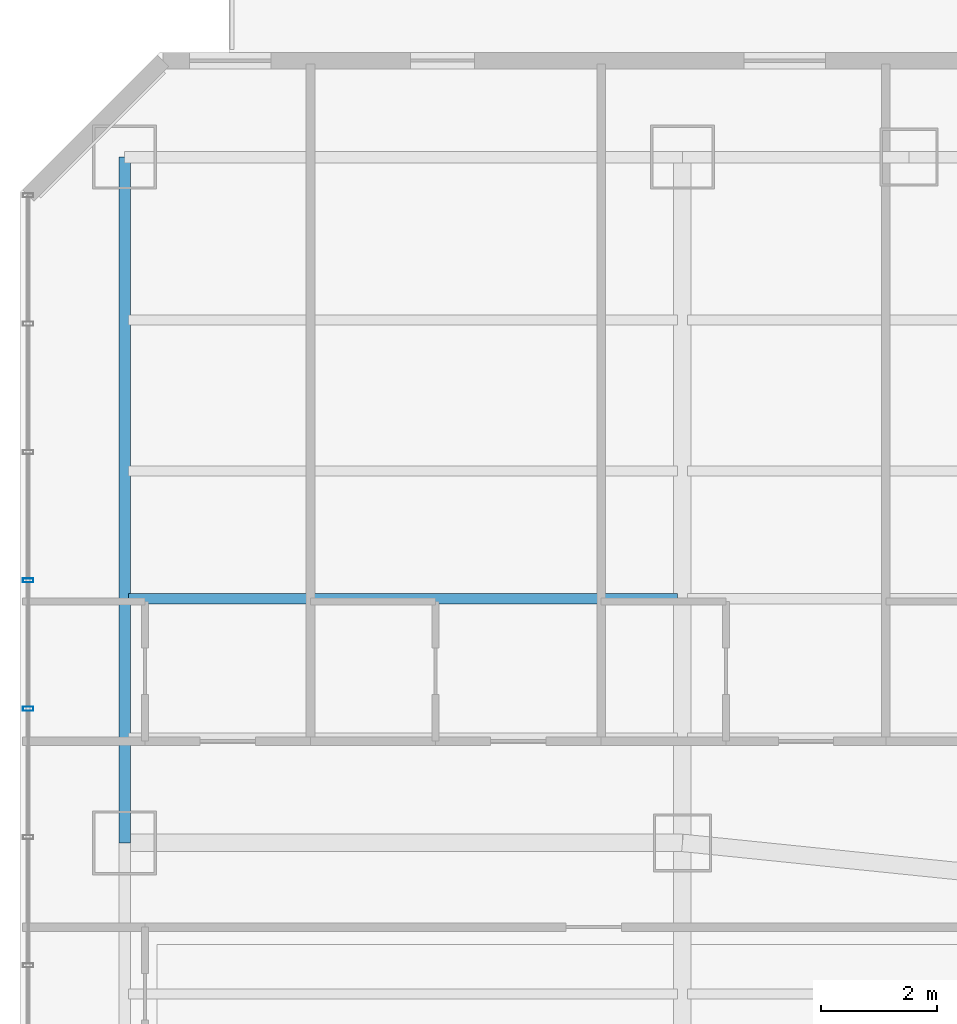
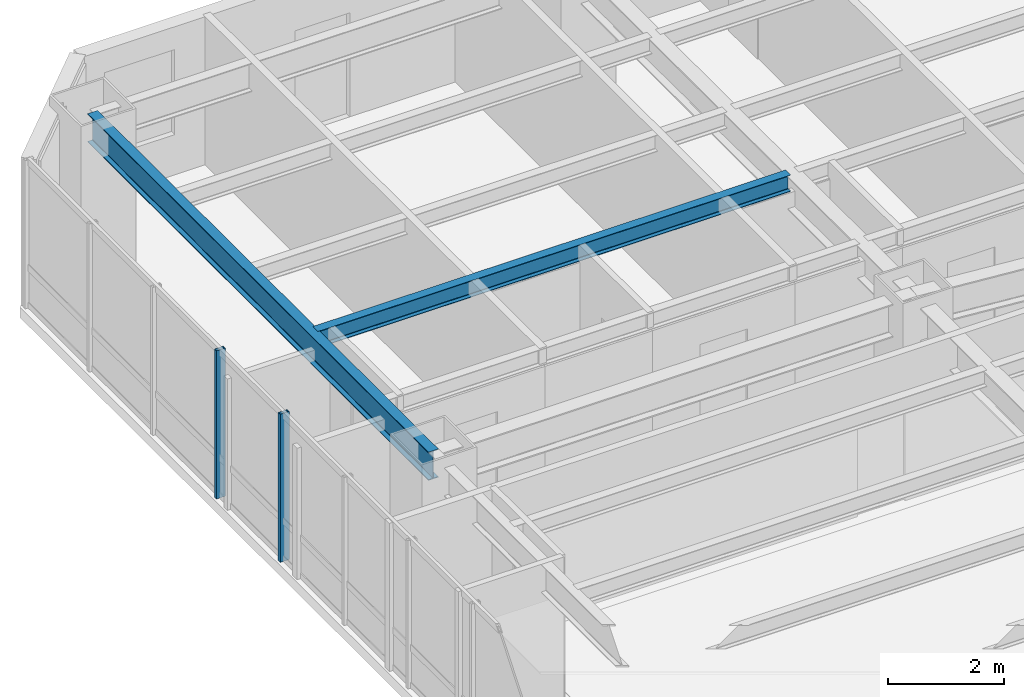
# One storey, part 14 of 33: 2 beams, 2 members, 1 element without a shape of its own.
"""IFC4 building model written with IfcOpenShell, lengths in metres."""

from ifc_helpers import new_model, si_unit, direction, frame, origin, origin_2d, place, context, subcontext, project, spatial, hollow_rectangle, i_section, extrude, material, layer, layer_set, material_profile, profile_set, type_object, element, aggregate, save


model = new_model("IFC4")

# Units and contexts
model_context = context("Model", 3, precision=1e-05, world=origin(), true_north=direction((0.0, 1.0)))
body_context = subcontext(model_context, "Body", "Model", "MODEL_VIEW")
ifc_project = project(units=[si_unit("LENGTHUNIT", "METRE"), si_unit("AREAUNIT", "SQUARE_METRE"), si_unit("VOLUMEUNIT", "CUBIC_METRE"), si_unit("PLANEANGLEUNIT", "RADIAN"), si_unit("MASSUNIT", "GRAM", prefix="KILO")], contexts=[model_context])

# Site, building, storey
site_placement = place(None, origin())
site = spatial("IfcSite", under=ifc_project, at=site_placement, CompositionType="ELEMENT")
building_placement = place(site_placement, origin())
building = spatial("IfcBuilding", under=site, at=building_placement, Name="Hatsunagi Terrace Concourse", CompositionType="ELEMENT")
storey_placement = place(building_placement, frame((0.0, 0.0, 56.699951171875)))
storey = spatial("IfcBuildingStorey", under=building, at=storey_placement, Name="L14", CompositionType="ELEMENT", Elevation=56.699951171875)

# Curtain wall, members
ifc_material_1 = material(Name="Anodised Aluminium Alloy 6063-T5", Category="aluminium")
ifc_layer = layer(ifc_material_1, 0.199951171875)
ifc_layer_set = layer_set([ifc_layer], Name="HotelFacade_CW02")
curtain_wall_type = type_object("IfcCurtainWallType", Name="HotelFacade_CW02", PredefinedType="NOTDEFINED", material=ifc_layer_set)
curtain_wall_placement = place(storey_placement, origin())
curtain_wall = element("IfcCurtainWall", 1, at=curtain_wall_placement, inside=storey, type_object=curtain_wall_type, Name="Unitised Curtain Wall CW-02 CW-L14-09", PredefinedType="NOTDEFINED")
ifc_material_2 = material(Name="Anodised Aluminium Alloy 6063-T5", Category="aluminium")
ifc_material_profile_1 = material_profile(ifc_material_2, hollow_rectangle(XDim=0.070068359375, YDim=0.179931640625, WallThickness=0.00390625, at=origin_2d()), Name="ALU-MUL-180x70x4")
ifc_profile_set_1 = profile_set([ifc_material_profile_1], Name="Anodised Aluminium Alloy 6063-T5")
member_type = type_object("IfcMemberType", Name="CurtainWallMullion_180x70", PredefinedType="MULLION", material=ifc_profile_set_1)
member_1_placement = place(storey_placement, frame((0.139892578125, 39.10791015625, 0.0), z_axis=(0.0, 0.0, 1.0), x_axis=(0.0, 1.0, 0.0)))
member_1 = element("IfcMember", 2, at=member_1_placement, type_object=member_type, Name="Curtain Wall Mullion MUL-02", PredefinedType="MULLION", context=body_context, shape_type="SweptSolid", body=[
    extrude(hollow_rectangle(XDim=0.070068359375, YDim=0.179931640625, WallThickness=0.00390625, at=origin_2d()), origin(), (0.0, 0.0, 1.0), 3.130126953125),
])
member_2_placement = place(storey_placement, frame((0.139892578125, 41.31689453125, 0.0), z_axis=(0.0, 0.0, 1.0), x_axis=(0.0, 1.0, 0.0)))
member_2 = element("IfcMember", 3, at=member_2_placement, type_object=member_type, Name="Curtain Wall Mullion MUL-02", PredefinedType="MULLION", context=body_context, shape_type="SweptSolid", body=[
    extrude(hollow_rectangle(XDim=0.070068359375, YDim=0.179931640625, WallThickness=0.00390625, at=origin_2d()), origin(), (0.0, 0.0, 1.0), 3.130126953125),
])
aggregate(curtain_wall, [member_1, member_2])

# Beams
ifc_material_3 = material(Name="Steel SN490B", Category="steel")
ifc_material_profile_2 = material_profile(ifc_material_3, i_section(OverallWidth=0.175048828125, OverallDepth=0.35009765625, WebThickness=0.007080078125, FlangeThickness=0.010986328125, FilletRadius=0.012939453125, at=origin_2d()), Name="H-350x175x7x11")
ifc_profile_set_2 = profile_set([ifc_material_profile_2], Name="Steel SN490B")
beam_type_1 = type_object("IfcBeamType", Name="HotelJoist_H_350x175", PredefinedType="JOIST", material=ifc_profile_set_2)
beam_1_placement = place(storey_placement, frame((1.864990234375, 41.0, 2.955078125), z_axis=(1.0, 0.0, 0.0), x_axis=(0.0, 1.0, 0.0)))
element("IfcBeam", 4, at=beam_1_placement, inside=storey, type_object=beam_type_1, Name="Beam J-02 J-L14-W-1-410", PredefinedType="JOIST", context=body_context, shape_type="SweptSolid", body=[
    extrude(i_section(OverallWidth=0.175048828125, OverallDepth=0.35009765625, WebThickness=0.007080078125, FlangeThickness=0.010986328125, FilletRadius=0.012939453125, at=origin_2d()), origin(), (0.0, 0.0, 1.0), 9.449951171875),
])
ifc_material_4 = material(Name="Steel SN490B", Category="steel")
ifc_material_profile_3 = material_profile(ifc_material_4, i_section(OverallWidth=0.199951171875, OverallDepth=0.60009765625, WebThickness=0.010986328125, FlangeThickness=0.01708984375, FilletRadius=0.01806640625, at=origin_2d()), Name="H-600x200x11x17")
ifc_profile_set_3 = profile_set([ifc_material_profile_3], Name="Steel SN490B")
beam_type_2 = type_object("IfcBeamType", Name="PerimeterSpandrel_H_600x200", PredefinedType="SPANDREL", material=ifc_profile_set_3)
beam_2_placement = place(storey_placement, frame((1.800048828125, 36.800048828125, 2.830078125), z_axis=(0.0, 1.0, 0.0), x_axis=(-1.0, 0.0, 0.0)))
element("IfcBeam", 5, at=beam_2_placement, inside=storey, type_object=beam_type_2, Name="Beam SP-01 BM-L14-NS-1-36", PredefinedType="SPANDREL", context=body_context, shape_type="SweptSolid", body=[
    extrude(i_section(OverallWidth=0.199951171875, OverallDepth=0.60009765625, WebThickness=0.010986328125, FlangeThickness=0.01708984375, FilletRadius=0.01806640625, at=origin_2d()), origin(), (0.0, 0.0, 1.0), 11.800048828125),
])

save(model, "model.ifc")
